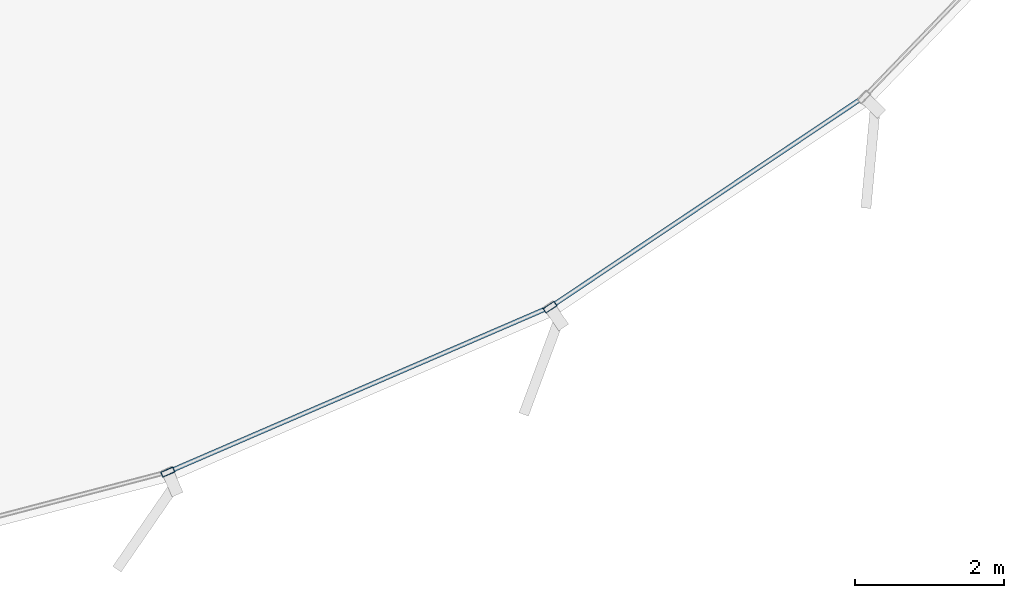
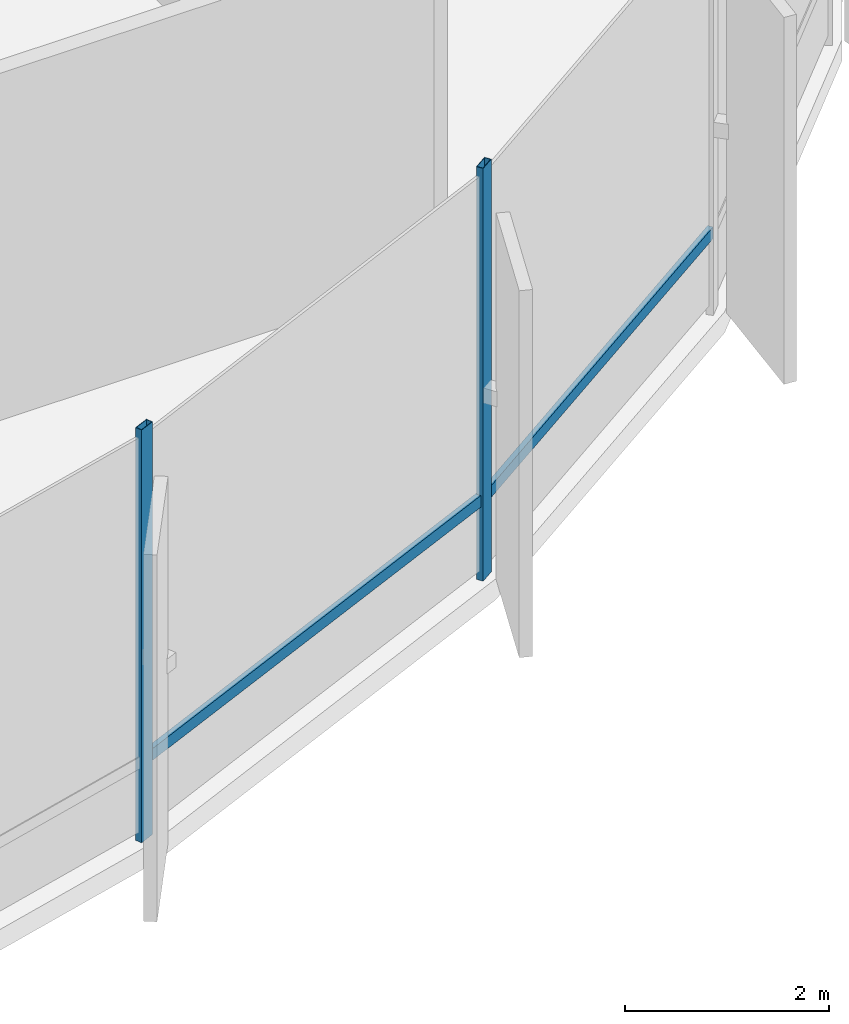
# One storey, part 14 of 35: 4 members, 1 element without a shape of its own.
"""IFC4 building model written with IfcOpenShell, lengths in metres."""

from ifc_helpers import new_model, si_unit, direction, frame, origin, origin_2d, place, context, subcontext, project, spatial, hollow_rectangle, extrude, source, transform, mapped, material, layer, layer_set, material_profile, profile_set, type_object, element, aggregate, save


model = new_model("IFC4")

# Units and contexts
model_context = context("Model", 3, precision=1e-05, world=origin(), true_north=direction((0.0, 1.0)))
body_context = subcontext(model_context, "Body", "Model", "MODEL_VIEW")
ifc_project = project(units=[si_unit("LENGTHUNIT", "METRE"), si_unit("AREAUNIT", "SQUARE_METRE"), si_unit("VOLUMEUNIT", "CUBIC_METRE"), si_unit("PLANEANGLEUNIT", "RADIAN"), si_unit("MASSUNIT", "GRAM", prefix="KILO"), si_unit("THERMODYNAMICTEMPERATUREUNIT", "KELVIN")], contexts=[model_context])

# Site, building, storey
site_placement = place(None, origin())
site = spatial("IfcSite", under=ifc_project, at=site_placement, CompositionType="ELEMENT")
building_placement = place(site_placement, origin())
building = spatial("IfcBuilding", under=site, at=building_placement, Name="Kethvar Cultural Tower", CompositionType="ELEMENT")
storey_placement = place(building_placement, origin())
storey = spatial("IfcBuildingStorey", under=building, at=storey_placement, Name="L00", CompositionType="ELEMENT", Elevation=0.0)

# Curtain wall, members
ifc_material = material(Name="Aluminium 6063-T6", Category="aluminium")
ifc_layer = layer(ifc_material, 0.179931640625, Name="Aluminium 6063-T6", Category="aluminium")
ifc_layer_set = layer_set([ifc_layer], Name="Aluminium 6063-T6 (180 mm)")
curtain_wall_type = type_object("IfcCurtainWallType", Name="CW-SYS-01-POD", PredefinedType="NOTDEFINED", material=ifc_layer_set)
curtain_wall_placement = place(storey_placement, origin())
curtain_wall = element("IfcCurtainWall", 1, at=curtain_wall_placement, inside=storey, type_object=curtain_wall_type, Name="L00 Curtain Wall Run 04", PredefinedType="NOTDEFINED")
ifc_material_profile_1 = material_profile(ifc_material, hollow_rectangle(XDim=0.074951171875, YDim=0.179931640625, WallThickness=0.006103515625, at=origin_2d()), Name="Aluminium 6063-T6 — RHS180x75x6")
ifc_profile_set_1 = profile_set([ifc_material_profile_1], Name="Aluminium 6063-T6 — RHS180x75x6")
member_type_1 = type_object("IfcMemberType", Name="CW-SYS-01-POD-MUL", PredefinedType="MULLION", material=ifc_profile_set_1)
shared_shape_1 = source(origin(), body_context, "Body", "SweptSolid", [
    extrude(hollow_rectangle(XDim=0.074951171875, YDim=0.179931640625, WallThickness=0.006103515625, at=origin_2d()), origin(), (0.0, 0.0, 1.0), 4.949951171875),
])
member_1_placement = place(storey_placement, frame((66.121826171875, 3.210205078125, 0.0), z_axis=(0.0, 0.0, 1.0), x_axis=(-0.396410942082, 0.918073180633, 0.0)))
member_1 = element("IfcMember", 2, at=member_1_placement, type_object=member_type_1, Name="CW-L00-R04 Mullion 3", PredefinedType="MULLION", context=body_context, shape_type="MappedRepresentation", body=[
    mapped(shared_shape_1, transform((0.0, 0.0, 0.0), scale=1.0)),
])
member_2_placement = place(storey_placement, frame((71.25390625, 5.424072265625, 0.0), z_axis=(0.0, 0.0, 1.0), x_axis=(-0.556556649514, 0.830809662848, 0.0)))
member_2 = element("IfcMember", 3, at=member_2_placement, type_object=member_type_1, Name="CW-L00-R04 Mullion 4", PredefinedType="MULLION", context=body_context, shape_type="MappedRepresentation", body=[
    mapped(shared_shape_1, transform((0.0, 0.0, 0.0), scale=1.0)),
])
ifc_material_profile_2 = material_profile(ifc_material, hollow_rectangle(XDim=0.06005859375, YDim=0.139892578125, WallThickness=0.0048828125, at=origin_2d()), Name="Aluminium 6063-T6 — RHS140x60x5")
ifc_profile_set_2 = profile_set([ifc_material_profile_2], Name="Aluminium 6063-T6 — RHS140x60x5")
member_type_2 = type_object("IfcMemberType", Name="CW-SYS-01-POD-TRN", PredefinedType="USERDEFINED", material=ifc_profile_set_2)
shared_shape_2 = source(origin(), body_context, "Body", "SweptSolid", [
    extrude(hollow_rectangle(XDim=0.06005859375, YDim=0.139892578125, WallThickness=0.0048828125, at=origin_2d()), origin(), (0.0, 0.0, 1.0), 4.991455078125),
])
member_3_placement = place(storey_placement, frame((71.298828125, 5.4541015625, 0.949951171875), z_axis=(0.830806616573, 0.556561196867, 0.0), x_axis=(-0.556561196867, 0.830806616573, 0.0)))
member_3 = element("IfcMember", 4, at=member_3_placement, type_object=member_type_2, Name="CW-L00-R04 Transom 4", ObjectType="TRANSOM", PredefinedType="USERDEFINED", context=body_context, shape_type="MappedRepresentation", body=[
    mapped(shared_shape_2, transform((0.0, 0.0, 0.0), scale=1.0)),
])
shared_shape_3 = source(origin(), body_context, "Body", "SweptSolid", [
    extrude(hollow_rectangle(XDim=0.06005859375, YDim=0.139892578125, WallThickness=0.0048828125, at=origin_2d()), origin(), (0.0, 0.0, 1.0), 5.504638671875),
])
member_4_placement = place(storey_placement, frame((66.17138671875, 3.231689453125, 0.949951171875), z_axis=(0.918072625283, 0.39641222825, 0.0), x_axis=(-0.39641222825, 0.918072625283, 0.0)))
member_4 = element("IfcMember", 5, at=member_4_placement, type_object=member_type_2, Name="CW-L00-R04 Transom 3", ObjectType="TRANSOM", PredefinedType="USERDEFINED", context=body_context, shape_type="MappedRepresentation", body=[
    mapped(shared_shape_3, transform((0.0, 0.0, 0.0), scale=1.0)),
])
aggregate(curtain_wall, [member_1, member_2, member_4, member_3])

save(model, "model.ifc")
